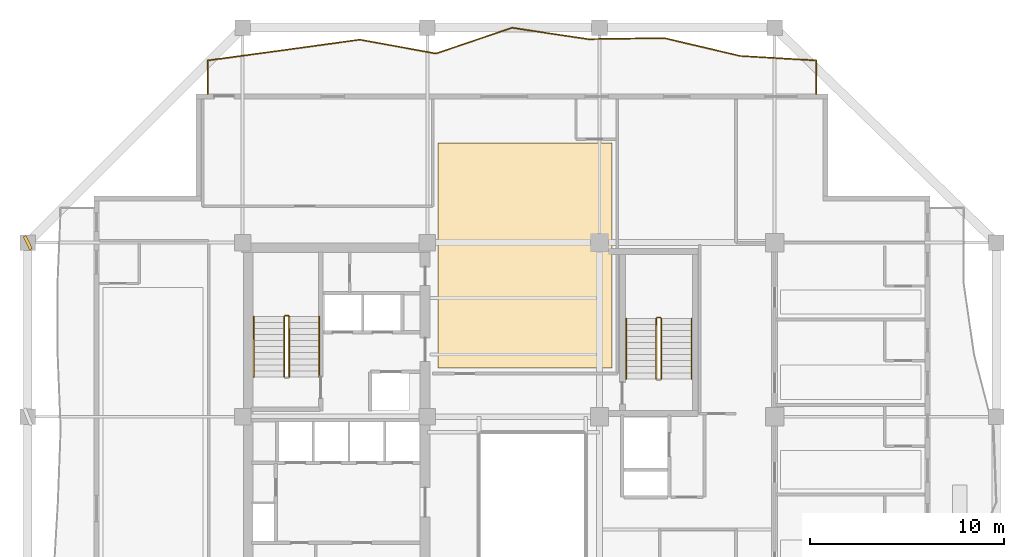
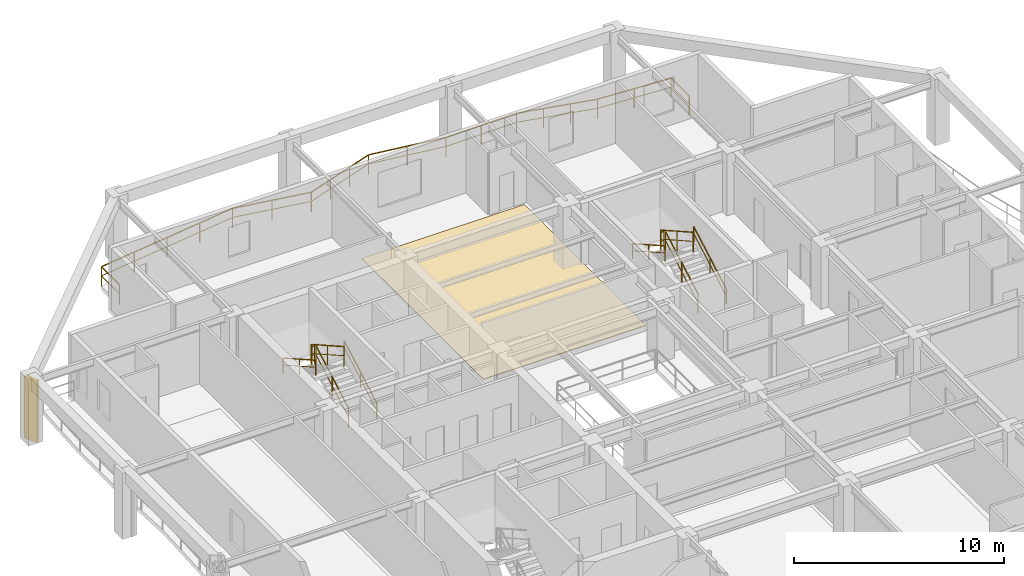
# One storey, part 11 of 13: 11 railings, 1 covering, 1 shading device.
"""IFC4 building model written with IfcOpenShell, lengths in metres."""

from ifc_helpers import new_model, si_unit, direction, frame, origin, origin_2d, place, context, subcontext, project, spatial, polyline, rectangle, outline, extrude, material, layer, layer_set, type_object, element, save


model = new_model("IFC4")

# Units and contexts
model_context = context("Model", 3, precision=1e-05, world=origin(), true_north=direction((0.0, 1.0)))
body_context = subcontext(model_context, "Body", "Model", "MODEL_VIEW")
ifc_project = project(units=[si_unit("LENGTHUNIT", "METRE"), si_unit("AREAUNIT", "SQUARE_METRE"), si_unit("VOLUMEUNIT", "CUBIC_METRE"), si_unit("PLANEANGLEUNIT", "RADIAN"), si_unit("MASSUNIT", "GRAM", prefix="KILO")], contexts=[model_context])

# Site, building, storey
site_placement = place(None, origin())
site = spatial("IfcSite", under=ifc_project, at=site_placement, CompositionType="ELEMENT")
building_placement = place(site_placement, origin())
building = spatial("IfcBuilding", under=site, at=building_placement, Name="Kundavana Baori Tower", CompositionType="ELEMENT")
storey_placement = place(building_placement, frame((0.0, 0.0, 192.550048828125)))
storey = spatial("IfcBuildingStorey", under=building, at=storey_placement, Name="L47", CompositionType="ELEMENT", Elevation=192.550048828125)

# Covering
ifc_material_1 = material(Name="Honed Kota Stone and Terrazzo Flooring", Category="masonry")
ifc_layer = layer(ifc_material_1, 0.0400390625, Name="COV-FLR-TERR-40")
ifc_layer_set = layer_set([ifc_layer], Name="Honed Kota Stone and Terrazzo Flooring")
covering_type = type_object("IfcCoveringType", Name="COV-FLR-TERR-40", PredefinedType="FLOORING", material=ifc_layer_set)
covering_placement = place(storey_placement, origin())
element("IfcCovering", 1, at=covering_placement, inside=storey, type_object=covering_type, Name="L47 Room Finished Stone Flooring 10", PredefinedType="FLOORING", context=body_context, shape_type="SweptSolid", body=[
    extrude(outline(polyline([(25.5, 35.5), (34.43994140625, 35.5), (34.43994140625, 47.070068359375), (25.5, 47.070068359375), (25.5, 35.5)])), origin(), (0.0, 0.0, 1.0), 0.0400390625),
])

# Railings
ifc_material_2 = material(Name="Architectural Patinated Bronze Metalwork")
railing_type_1 = type_object("IfcRailingType", Name="RL-BAL-1150", PredefinedType="BALUSTRADE", material=ifc_material_2)
railing_1_placement = place(storey_placement, frame((13.64990234375, 49.60009765625, 0.0)))
element("IfcRailing", 2, at=railing_1_placement, inside=storey, type_object=railing_type_1, Name="L47 Loggia Balcony Balustrade N", PredefinedType="BALUSTRADE", context=body_context, shape_type="SweptSolid", body=[
    extrude(rectangle(XDim=0.048095703125, YDim=0.048095703125, at=origin_2d()), frame((0.0, 0.0, 1.1259765625), z_axis=(0.0, 1.0, 0.0), x_axis=(-1.0, 0.0, 0.0)), (0.0, 0.0, 1.0), 1.719970703125),
    extrude(rectangle(XDim=0.03125, YDim=0.03125, at=origin_2d()), frame((0.0, 0.0, 0.597900390625), z_axis=(0.0, 1.0, 0.0), x_axis=(-1.0, 0.0, 0.0)), (0.0, 0.0, 1.0), 1.719970703125),
    extrude(rectangle(XDim=0.048095703125, YDim=0.048095703125, at=origin_2d()), frame((0.0, 1.719970703125, 1.1259765625), z_axis=(0.990880522141, 0.13474342597, 0.0), x_axis=(-0.13474342597, 0.990880522141, 0.0)), (0.0, 0.0, 1.0), 3.947998046875),
    extrude(rectangle(XDim=0.03125, YDim=0.03125, at=origin_2d()), frame((0.0, 1.719970703125, 0.597900390625), z_axis=(0.990880522141, 0.13474342597, 0.0), x_axis=(-0.13474342597, 0.990880522141, 0.0)), (0.0, 0.0, 1.0), 3.947998046875),
    extrude(rectangle(XDim=0.048095703125, YDim=0.048095703125, at=origin_2d()), frame((3.912109375, 2.251953125, 1.1259765625), z_axis=(0.990685928468, 0.136166776916, 0.0), x_axis=(-0.136166776916, 0.990685928468, 0.0)), (0.0, 0.0, 1.0), 3.949951171875),
    extrude(rectangle(XDim=0.03125, YDim=0.03125, at=origin_2d()), frame((3.912109375, 2.251953125, 0.597900390625), z_axis=(0.990685928468, 0.136166776916, 0.0), x_axis=(-0.136166776916, 0.990685928468, 0.0)), (0.0, 0.0, 1.0), 3.949951171875),
    extrude(rectangle(XDim=0.048095703125, YDim=0.048095703125, at=origin_2d()), frame((7.8251953125, 2.789794921875, 1.1259765625), z_axis=(0.98380502376, -0.179241946052, 0.0), x_axis=(0.179241946052, 0.98380502376, 0.0)), (0.0, 0.0, 1.0), 3.977294921875),
    extrude(rectangle(XDim=0.03125, YDim=0.03125, at=origin_2d()), frame((7.8251953125, 2.789794921875, 0.597900390625), z_axis=(0.98380502376, -0.179241946052, 0.0), x_axis=(0.179241946052, 0.98380502376, 0.0)), (0.0, 0.0, 1.0), 3.977294921875),
    extrude(rectangle(XDim=0.048095703125, YDim=0.048095703125, at=origin_2d()), frame((11.738037109375, 2.076904296875, 1.1259765625), z_axis=(0.947296863291, 0.32035707078, 0.0), x_axis=(-0.32035707078, 0.947296863291, 0.0)), (0.0, 0.0, 1.0), 4.129638671875),
    extrude(rectangle(XDim=0.03125, YDim=0.03125, at=origin_2d()), frame((11.738037109375, 2.076904296875, 0.597900390625), z_axis=(0.947296863291, 0.32035707078, 0.0), x_axis=(-0.32035707078, 0.947296863291, 0.0)), (0.0, 0.0, 1.0), 4.129638671875),
    extrude(rectangle(XDim=0.048095703125, YDim=0.048095703125, at=origin_2d()), frame((15.650146484375, 3.39990234375, 1.1259765625), z_axis=(0.989081184135, -0.147371677027, 0.0), x_axis=(0.147371677027, 0.989081184135, 0.0)), (0.0, 0.0, 1.0), 3.9560546875),
    extrude(rectangle(XDim=0.03125, YDim=0.03125, at=origin_2d()), frame((15.650146484375, 3.39990234375, 0.597900390625), z_axis=(0.989081184135, -0.147371677027, 0.0), x_axis=(0.147371677027, 0.989081184135, 0.0)), (0.0, 0.0, 1.0), 3.9560546875),
    extrude(rectangle(XDim=0.048095703125, YDim=0.048095703125, at=origin_2d()), frame((19.56298828125, 2.81689453125, 1.1259765625), z_axis=(0.999904906523, 0.01379050077, 0.0), x_axis=(-0.01379050077, 0.999904906523, 0.0)), (0.0, 0.0, 1.0), 3.91259765625),
    extrude(rectangle(XDim=0.03125, YDim=0.03125, at=origin_2d()), frame((19.56298828125, 2.81689453125, 0.597900390625), z_axis=(0.999904906523, 0.01379050077, 0.0), x_axis=(-0.01379050077, 0.999904906523, 0.0)), (0.0, 0.0, 1.0), 3.91259765625),
    extrude(rectangle(XDim=0.048095703125, YDim=0.048095703125, at=origin_2d()), frame((23.47509765625, 2.870849609375, 1.1259765625), z_axis=(0.973515852472, -0.228619520134, 0.0), x_axis=(0.228619520134, 0.973515852472, 0.0)), (0.0, 0.0, 1.0), 4.01953125),
    extrude(rectangle(XDim=0.03125, YDim=0.03125, at=origin_2d()), frame((23.47509765625, 2.870849609375, 0.597900390625), z_axis=(0.973515852472, -0.228619520134, 0.0), x_axis=(0.228619520134, 0.973515852472, 0.0)), (0.0, 0.0, 1.0), 4.01953125),
    extrude(rectangle(XDim=0.048095703125, YDim=0.048095703125, at=origin_2d()), frame((27.38818359375, 1.951904296875, 1.1259765625), z_axis=(0.998246981937, -0.059185834915, 0.0), x_axis=(0.059185834915, 0.998246981937, 0.0)), (0.0, 0.0, 1.0), 3.918701171875),
    extrude(rectangle(XDim=0.03125, YDim=0.03125, at=origin_2d()), frame((27.38818359375, 1.951904296875, 0.597900390625), z_axis=(0.998246981937, -0.059185834915, 0.0), x_axis=(0.059185834915, 0.998246981937, 0.0)), (0.0, 0.0, 1.0), 3.918701171875),
    extrude(rectangle(XDim=0.048095703125, YDim=0.048095703125, at=origin_2d()), frame((31.300048828125, 1.719970703125, 1.1259765625), z_axis=(0.0, -1.0, 0.0), x_axis=(1.0, 0.0, 0.0)), (0.0, 0.0, 1.0), 1.719970703125),
    extrude(rectangle(XDim=0.03125, YDim=0.03125, at=origin_2d()), frame((31.300048828125, 1.719970703125, 0.597900390625), z_axis=(0.0, -1.0, 0.0), x_axis=(1.0, 0.0, 0.0)), (0.0, 0.0, 1.0), 1.719970703125),
    extrude(rectangle(XDim=0.0419921875, YDim=0.0419921875, at=origin_2d()), origin(), (0.0, 0.0, 1.0), 1.101806640625),
    extrude(rectangle(XDim=0.0419921875, YDim=0.0419921875, at=origin_2d()), frame((0.0, 1.719970703125, 0.0)), (0.0, 0.0, 1.0), 1.101806640625),
    extrude(rectangle(XDim=0.0419921875, YDim=0.0419921875, at=origin_2d()), frame((1.9560546875, 1.98583984375, 0.0)), (0.0, 0.0, 1.0), 1.101806640625),
    extrude(rectangle(XDim=0.0419921875, YDim=0.0419921875, at=origin_2d()), frame((3.912109375, 2.251953125, 0.0)), (0.0, 0.0, 1.0), 1.101806640625),
    extrude(rectangle(XDim=0.0419921875, YDim=0.0419921875, at=origin_2d()), frame((5.86865234375, 2.52099609375, 0.0)), (0.0, 0.0, 1.0), 1.101806640625),
    extrude(rectangle(XDim=0.0419921875, YDim=0.0419921875, at=origin_2d()), frame((7.8251953125, 2.789794921875, 0.0)), (0.0, 0.0, 1.0), 1.101806640625),
    extrude(rectangle(XDim=0.0419921875, YDim=0.0419921875, at=origin_2d()), frame((9.78173828125, 2.433349609375, 0.0)), (0.0, 0.0, 1.0), 1.101806640625),
    extrude(rectangle(XDim=0.0419921875, YDim=0.0419921875, at=origin_2d()), frame((11.738037109375, 2.076904296875, 0.0)), (0.0, 0.0, 1.0), 1.101806640625),
    extrude(rectangle(XDim=0.0419921875, YDim=0.0419921875, at=origin_2d()), frame((13.0419921875, 2.517822265625, 0.0)), (0.0, 0.0, 1.0), 1.101806640625),
    extrude(rectangle(XDim=0.0419921875, YDim=0.0419921875, at=origin_2d()), frame((14.34619140625, 2.958984375, 0.0)), (0.0, 0.0, 1.0), 1.101806640625),
    extrude(rectangle(XDim=0.0419921875, YDim=0.0419921875, at=origin_2d()), frame((15.650146484375, 3.39990234375, 0.0)), (0.0, 0.0, 1.0), 1.101806640625),
    extrude(rectangle(XDim=0.0419921875, YDim=0.0419921875, at=origin_2d()), frame((17.6064453125, 3.1083984375, 0.0)), (0.0, 0.0, 1.0), 1.101806640625),
    extrude(rectangle(XDim=0.0419921875, YDim=0.0419921875, at=origin_2d()), frame((19.56298828125, 2.81689453125, 0.0)), (0.0, 0.0, 1.0), 1.101806640625),
    extrude(rectangle(XDim=0.0419921875, YDim=0.0419921875, at=origin_2d()), frame((21.51904296875, 2.84375, 0.0)), (0.0, 0.0, 1.0), 1.101806640625),
    extrude(rectangle(XDim=0.0419921875, YDim=0.0419921875, at=origin_2d()), frame((23.47509765625, 2.870849609375, 0.0)), (0.0, 0.0, 1.0), 1.101806640625),
    extrude(rectangle(XDim=0.0419921875, YDim=0.0419921875, at=origin_2d()), frame((24.779541015625, 2.564453125, 0.0)), (0.0, 0.0, 1.0), 1.101806640625),
    extrude(rectangle(XDim=0.0419921875, YDim=0.0419921875, at=origin_2d()), frame((26.083740234375, 2.25830078125, 0.0)), (0.0, 0.0, 1.0), 1.101806640625),
    extrude(rectangle(XDim=0.0419921875, YDim=0.0419921875, at=origin_2d()), frame((27.38818359375, 1.951904296875, 0.0)), (0.0, 0.0, 1.0), 1.101806640625),
    extrude(rectangle(XDim=0.0419921875, YDim=0.0419921875, at=origin_2d()), frame((29.34423828125, 1.8359375, 0.0)), (0.0, 0.0, 1.0), 1.101806640625),
    extrude(rectangle(XDim=0.0419921875, YDim=0.0419921875, at=origin_2d()), frame((31.300048828125, 1.719970703125, 0.0)), (0.0, 0.0, 1.0), 1.101806640625),
    extrude(rectangle(XDim=0.0419921875, YDim=0.0419921875, at=origin_2d()), frame((31.300048828125, 0.0, 0.0)), (0.0, 0.0, 1.0), 1.101806640625),
])
ifc_material_3 = material(Name="Architectural Patinated Bronze Metalwork")
railing_type_2 = type_object("IfcRailingType", Name="RL-GRD-1150", PredefinedType="GUARDRAIL", material=ifc_material_3)
railing_2_placement = place(storey_placement, frame((17.840087890625, 35.050048828125, 0.175048828125)))
element("IfcRailing", 3, at=railing_2_placement, inside=storey, type_object=railing_type_2, Name="L47 ST2 stair guard 1", PredefinedType="GUARDRAIL", context=body_context, shape_type="SweptSolid", body=[
    extrude(rectangle(XDim=0.048095703125, YDim=0.048095703125, at=origin_2d()), frame((0.0, 0.0, 1.1259765625), z_axis=(0.0, 0.870814364268, 0.491611984175), x_axis=(-1.0, 0.0, 0.0)), (0.0, 0.0, 1.0), 3.559814453125),
    extrude(rectangle(XDim=0.03125, YDim=0.03125, at=origin_2d()), frame((0.0, 0.0, 0.597900390625), z_axis=(0.0, 0.870814364268, 0.491611984175), x_axis=(-1.0, 0.0, 0.0)), (0.0, 0.0, 1.0), 3.559814453125),
    extrude(rectangle(XDim=0.0419921875, YDim=0.0419921875, at=origin_2d()), origin(), (0.0, 0.0, 1.0), 1.101806640625),
    extrude(rectangle(XDim=0.0419921875, YDim=0.0419921875, at=origin_2d()), frame((0.0, 1.5498046875, 0.875)), (0.0, 0.0, 1.0), 1.101806640625),
    extrude(rectangle(XDim=0.0419921875, YDim=0.0419921875, at=origin_2d()), frame((0.0, 3.099853515625, 1.75)), (0.0, 0.0, 1.0), 1.101806640625),
])
railing_3_placement = place(storey_placement, frame((17.7900390625, 38.199951171875, 1.925048828125)))
element("IfcRailing", 4, at=railing_3_placement, inside=storey, type_object=railing_type_2, Name="L47 ST2 stair guard 2", PredefinedType="GUARDRAIL", context=body_context, shape_type="SweptSolid", body=[
    extrude(rectangle(XDim=0.048095703125, YDim=0.048095703125, at=origin_2d()), frame((0.0, 0.0, 1.1259765625), z_axis=(-1.0, 0.0, 0.0), x_axis=(0.0, -1.0, 0.0)), (0.0, 0.0, 1.0), 0.16015625),
    extrude(rectangle(XDim=0.03125, YDim=0.03125, at=origin_2d()), frame((0.0, 0.0, 0.597900390625), z_axis=(-1.0, 0.0, 0.0), x_axis=(0.0, -1.0, 0.0)), (0.0, 0.0, 1.0), 0.16015625),
    extrude(rectangle(XDim=0.0419921875, YDim=0.0419921875, at=origin_2d()), origin(), (0.0, 0.0, 1.0), 1.101806640625),
    extrude(rectangle(XDim=0.0419921875, YDim=0.0419921875, at=origin_2d()), frame((-0.16015625, 0.0, 0.0)), (0.0, 0.0, 1.0), 1.101806640625),
])
railing_4_placement = place(storey_placement, frame((17.580078125, 38.14990234375, 2.099853515625)))
element("IfcRailing", 5, at=railing_4_placement, inside=storey, type_object=railing_type_2, Name="L47 ST2 stair guard 3", PredefinedType="GUARDRAIL", context=body_context, shape_type="SweptSolid", body=[
    extrude(rectangle(XDim=0.048095703125, YDim=0.048095703125, at=origin_2d()), frame((0.0, 0.0, 1.1259765625), z_axis=(0.0, -0.870814364268, 0.491611984175), x_axis=(1.0, 0.0, 0.0)), (0.0, 0.0, 1.0), 3.559814453125),
    extrude(rectangle(XDim=0.03125, YDim=0.03125, at=origin_2d()), frame((0.0, 0.0, 0.597900390625), z_axis=(0.0, -0.870814364268, 0.491611984175), x_axis=(1.0, 0.0, 0.0)), (0.0, 0.0, 1.0), 3.559814453125),
    extrude(rectangle(XDim=0.0419921875, YDim=0.0419921875, at=origin_2d()), origin(), (0.0, 0.0, 1.0), 1.101806640625),
    extrude(rectangle(XDim=0.0419921875, YDim=0.0419921875, at=origin_2d()), frame((0.0, -1.5498046875, 0.875)), (0.0, 0.0, 1.0), 1.101806640625),
    extrude(rectangle(XDim=0.0419921875, YDim=0.0419921875, at=origin_2d()), frame((0.0, -3.099853515625, 1.75)), (0.0, 0.0, 1.0), 1.101806640625),
])
railing_5_placement = place(storey_placement, frame((36.97998046875, 34.949951171875, 0.175048828125)))
element("IfcRailing", 6, at=railing_5_placement, inside=storey, type_object=railing_type_2, Name="L47 ST3 stair guard 1", PredefinedType="GUARDRAIL", context=body_context, shape_type="SweptSolid", body=[
    extrude(rectangle(XDim=0.048095703125, YDim=0.048095703125, at=origin_2d()), frame((0.0, 0.0, 1.1259765625), z_axis=(0.0, 0.870830938388, 0.491582624537), x_axis=(-1.0, 0.0, 0.0)), (0.0, 0.0, 1.0), 3.559814453125),
    extrude(rectangle(XDim=0.03125, YDim=0.03125, at=origin_2d()), frame((0.0, 0.0, 0.597900390625), z_axis=(0.0, 0.870830938388, 0.491582624537), x_axis=(-1.0, 0.0, 0.0)), (0.0, 0.0, 1.0), 3.559814453125),
    extrude(rectangle(XDim=0.0419921875, YDim=0.0419921875, at=origin_2d()), origin(), (0.0, 0.0, 1.0), 1.101806640625),
    extrude(rectangle(XDim=0.0419921875, YDim=0.0419921875, at=origin_2d()), frame((0.0, 1.550048828125, 0.875)), (0.0, 0.0, 1.0), 1.101806640625),
    extrude(rectangle(XDim=0.0419921875, YDim=0.0419921875, at=origin_2d()), frame((0.0, 3.10009765625, 1.75)), (0.0, 0.0, 1.0), 1.101806640625),
])
railing_6_placement = place(storey_placement, frame((36.929931640625, 38.10009765625, 1.925048828125)))
element("IfcRailing", 7, at=railing_6_placement, inside=storey, type_object=railing_type_2, Name="L47 ST3 stair guard 2", PredefinedType="GUARDRAIL", context=body_context, shape_type="SweptSolid", body=[
    extrude(rectangle(XDim=0.048095703125, YDim=0.048095703125, at=origin_2d()), frame((0.0, 0.0, 1.1259765625), z_axis=(-1.0, 0.0, 0.0), x_axis=(0.0, -1.0, 0.0)), (0.0, 0.0, 1.0), 0.159912109375),
    extrude(rectangle(XDim=0.03125, YDim=0.03125, at=origin_2d()), frame((0.0, 0.0, 0.597900390625), z_axis=(-1.0, 0.0, 0.0), x_axis=(0.0, -1.0, 0.0)), (0.0, 0.0, 1.0), 0.159912109375),
    extrude(rectangle(XDim=0.0419921875, YDim=0.0419921875, at=origin_2d()), origin(), (0.0, 0.0, 1.0), 1.101806640625),
    extrude(rectangle(XDim=0.0419921875, YDim=0.0419921875, at=origin_2d()), frame((-0.159912109375, 0.0, 0.0)), (0.0, 0.0, 1.0), 1.101806640625),
])
railing_7_placement = place(storey_placement, frame((36.719970703125, 38.050048828125, 2.099853515625)))
element("IfcRailing", 8, at=railing_7_placement, inside=storey, type_object=railing_type_2, Name="L47 ST3 stair guard 3", PredefinedType="GUARDRAIL", context=body_context, shape_type="SweptSolid", body=[
    extrude(rectangle(XDim=0.048095703125, YDim=0.048095703125, at=origin_2d()), frame((0.0, 0.0, 1.1259765625), z_axis=(0.0, -0.870830938388, 0.491582624537), x_axis=(1.0, 0.0, 0.0)), (0.0, 0.0, 1.0), 3.559814453125),
    extrude(rectangle(XDim=0.03125, YDim=0.03125, at=origin_2d()), frame((0.0, 0.0, 0.597900390625), z_axis=(0.0, -0.870830938388, 0.491582624537), x_axis=(1.0, 0.0, 0.0)), (0.0, 0.0, 1.0), 3.559814453125),
    extrude(rectangle(XDim=0.0419921875, YDim=0.0419921875, at=origin_2d()), origin(), (0.0, 0.0, 1.0), 1.101806640625),
    extrude(rectangle(XDim=0.0419921875, YDim=0.0419921875, at=origin_2d()), frame((0.0, -1.550048828125, 0.875)), (0.0, 0.0, 1.0), 1.101806640625),
    extrude(rectangle(XDim=0.0419921875, YDim=0.0419921875, at=origin_2d()), frame((0.0, -3.10009765625, 1.75)), (0.0, 0.0, 1.0), 1.101806640625),
])
ifc_material_4 = material(Name="Architectural Patinated Bronze Metalwork")
railing_type_3 = type_object("IfcRailingType", Name="RL-HND-920", PredefinedType="HANDRAIL", material=ifc_material_4)
railing_8_placement = place(storey_placement, frame((19.389892578125, 35.050048828125, 0.175048828125)))
element("IfcRailing", 9, at=railing_8_placement, inside=storey, type_object=railing_type_3, Name="L47 ST2 stair handrail 1", PredefinedType="HANDRAIL", context=body_context, shape_type="SweptSolid", body=[
    extrude(rectangle(XDim=0.048095703125, YDim=0.048095703125, at=origin_2d()), frame((0.0, 0.0, 0.8759765625), z_axis=(0.0, 0.870814364268, 0.491611984175), x_axis=(-1.0, 0.0, 0.0)), (0.0, 0.0, 1.0), 3.559814453125),
    extrude(rectangle(XDim=0.03125, YDim=0.03125, at=origin_2d()), frame((0.0, 0.0, 0.468017578125), z_axis=(0.0, 0.870814364268, 0.491611984175), x_axis=(-1.0, 0.0, 0.0)), (0.0, 0.0, 1.0), 3.559814453125),
    extrude(rectangle(XDim=0.0419921875, YDim=0.0419921875, at=origin_2d()), origin(), (0.0, 0.0, 1.0), 0.851806640625),
    extrude(rectangle(XDim=0.0419921875, YDim=0.0419921875, at=origin_2d()), frame((0.0, 1.5498046875, 0.875)), (0.0, 0.0, 1.0), 0.851806640625),
    extrude(rectangle(XDim=0.0419921875, YDim=0.0419921875, at=origin_2d()), frame((0.0, 3.099853515625, 1.75)), (0.0, 0.0, 1.0), 0.851806640625),
])
railing_9_placement = place(storey_placement, frame((16.030029296875, 38.14990234375, 2.099853515625)))
element("IfcRailing", 10, at=railing_9_placement, inside=storey, type_object=railing_type_3, Name="L47 ST2 stair handrail 2", PredefinedType="HANDRAIL", context=body_context, shape_type="SweptSolid", body=[
    extrude(rectangle(XDim=0.048095703125, YDim=0.048095703125, at=origin_2d()), frame((0.0, 0.0, 0.8759765625), z_axis=(0.0, -0.870814364268, 0.491611984175), x_axis=(1.0, 0.0, 0.0)), (0.0, 0.0, 1.0), 3.559814453125),
    extrude(rectangle(XDim=0.03125, YDim=0.03125, at=origin_2d()), frame((0.0, 0.0, 0.468017578125), z_axis=(0.0, -0.870814364268, 0.491611984175), x_axis=(1.0, 0.0, 0.0)), (0.0, 0.0, 1.0), 3.559814453125),
    extrude(rectangle(XDim=0.0419921875, YDim=0.0419921875, at=origin_2d()), origin(), (0.0, 0.0, 1.0), 0.851806640625),
    extrude(rectangle(XDim=0.0419921875, YDim=0.0419921875, at=origin_2d()), frame((0.0, -1.5498046875, 0.875)), (0.0, 0.0, 1.0), 0.851806640625),
    extrude(rectangle(XDim=0.0419921875, YDim=0.0419921875, at=origin_2d()), frame((0.0, -3.099853515625, 1.75)), (0.0, 0.0, 1.0), 0.851806640625),
])
railing_10_placement = place(storey_placement, frame((38.530029296875, 34.949951171875, 0.175048828125)))
element("IfcRailing", 11, at=railing_10_placement, inside=storey, type_object=railing_type_3, Name="L47 ST3 stair handrail 1", PredefinedType="HANDRAIL", context=body_context, shape_type="SweptSolid", body=[
    extrude(rectangle(XDim=0.048095703125, YDim=0.048095703125, at=origin_2d()), frame((0.0, 0.0, 0.8759765625), z_axis=(0.0, 0.870830938388, 0.491582624537), x_axis=(-1.0, 0.0, 0.0)), (0.0, 0.0, 1.0), 3.559814453125),
    extrude(rectangle(XDim=0.03125, YDim=0.03125, at=origin_2d()), frame((0.0, 0.0, 0.468017578125), z_axis=(0.0, 0.870830938388, 0.491582624537), x_axis=(-1.0, 0.0, 0.0)), (0.0, 0.0, 1.0), 3.559814453125),
    extrude(rectangle(XDim=0.0419921875, YDim=0.0419921875, at=origin_2d()), origin(), (0.0, 0.0, 1.0), 0.851806640625),
    extrude(rectangle(XDim=0.0419921875, YDim=0.0419921875, at=origin_2d()), frame((0.0, 1.550048828125, 0.875)), (0.0, 0.0, 1.0), 0.851806640625),
    extrude(rectangle(XDim=0.0419921875, YDim=0.0419921875, at=origin_2d()), frame((0.0, 3.10009765625, 1.75)), (0.0, 0.0, 1.0), 0.851806640625),
])
railing_11_placement = place(storey_placement, frame((35.169921875, 38.050048828125, 2.099853515625)))
element("IfcRailing", 12, at=railing_11_placement, inside=storey, type_object=railing_type_3, Name="L47 ST3 stair handrail 2", PredefinedType="HANDRAIL", context=body_context, shape_type="SweptSolid", body=[
    extrude(rectangle(XDim=0.048095703125, YDim=0.048095703125, at=origin_2d()), frame((0.0, 0.0, 0.8759765625), z_axis=(0.0, -0.870830938388, 0.491582624537), x_axis=(1.0, 0.0, 0.0)), (0.0, 0.0, 1.0), 3.559814453125),
    extrude(rectangle(XDim=0.03125, YDim=0.03125, at=origin_2d()), frame((0.0, 0.0, 0.468017578125), z_axis=(0.0, -0.870830938388, 0.491582624537), x_axis=(1.0, 0.0, 0.0)), (0.0, 0.0, 1.0), 3.559814453125),
    extrude(rectangle(XDim=0.0419921875, YDim=0.0419921875, at=origin_2d()), origin(), (0.0, 0.0, 1.0), 0.851806640625),
    extrude(rectangle(XDim=0.0419921875, YDim=0.0419921875, at=origin_2d()), frame((0.0, -1.550048828125, 0.875)), (0.0, 0.0, 1.0), 0.851806640625),
    extrude(rectangle(XDim=0.0419921875, YDim=0.0419921875, at=origin_2d()), frame((0.0, -3.10009765625, 1.75)), (0.0, 0.0, 1.0), 0.851806640625),
])

# Shading device
ifc_material_5 = material(Name="Red-Buff Dholpur Sandstone Cladding on Concrete C40/50", Category="masonry")
shading_device_type = type_object("IfcShadingDeviceType", Name="SHD-FIN-750", PredefinedType="JALOUSIE", material=ifc_material_5)
shading_device_placement = place(storey_placement, frame((4.39990234375, 41.949951171875, 0.0), z_axis=(0.0, 0.0, 1.0), x_axis=(0.901152695386, 0.433501810375, 0.0)))
element("IfcShadingDevice", 13, at=shading_device_placement, inside=storey, type_object=shading_device_type, Name="L47 Sweeping Dholpur Sandstone Facade Fin 8", PredefinedType="JALOUSIE", context=body_context, shape_type="SweptSolid", body=[
    extrude(rectangle(XDim=0.159912109375, YDim=0.75, at=origin_2d()), origin(), (0.0, 0.0, 1.0), 3.60009765625),
])

save(model, "model.ifc")
